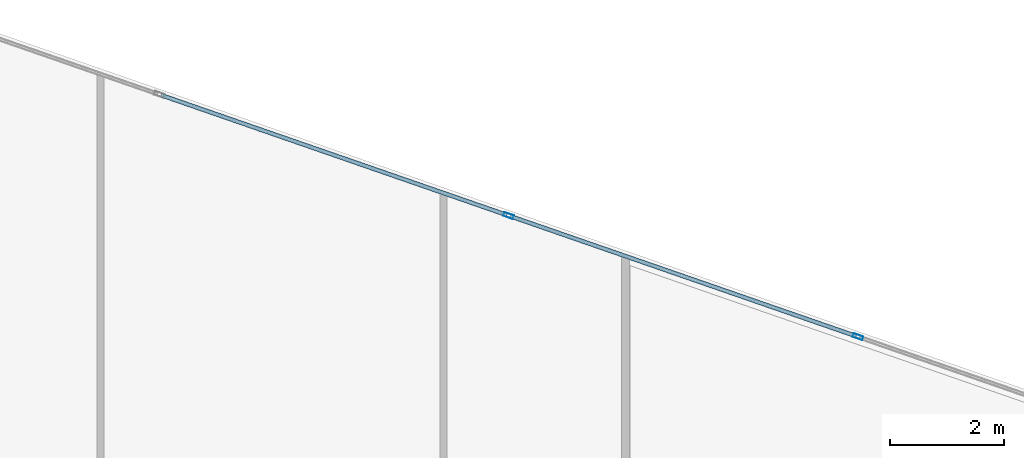
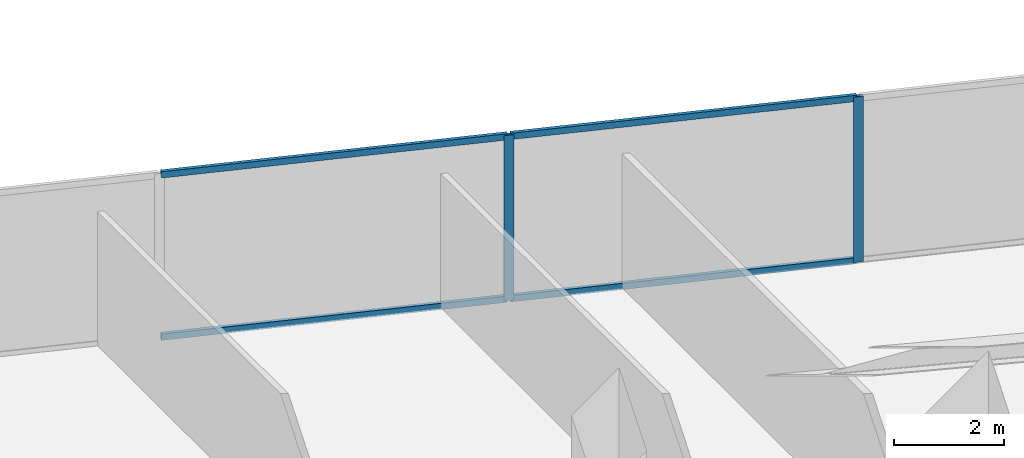
# One storey, part 21 of 28: 6 members, 1 element without a shape of its own.
"""IFC4 building model written with IfcOpenShell, lengths in metres."""

from ifc_helpers import new_model, si_unit, direction, frame, origin, origin_2d, place, context, subcontext, project, spatial, hollow_rectangle, extrude, source, transform, mapped, material, material_profile, profile_set, type_object, type_shapes, element, aggregate, save


model = new_model("IFC4")

# Units and contexts
model_context = context("Model", 3, precision=1e-05, world=origin(), true_north=direction((0.0, 1.0)))
body_context = subcontext(model_context, "Body", "Model", "MODEL_VIEW")
ifc_project = project(units=[si_unit("LENGTHUNIT", "METRE"), si_unit("AREAUNIT", "SQUARE_METRE"), si_unit("VOLUMEUNIT", "CUBIC_METRE"), si_unit("PLANEANGLEUNIT", "RADIAN"), si_unit("MASSUNIT", "GRAM", prefix="KILO")], contexts=[model_context])

# Site, building, storey
site_placement = place(None, origin())
site = spatial("IfcSite", under=ifc_project, at=site_placement, CompositionType="ELEMENT")
building_placement = place(site_placement, origin())
building = spatial("IfcBuilding", under=site, at=building_placement, Name="Krantzveldt Concourse Tower", CompositionType="ELEMENT")
storey_placement = place(building_placement, frame((0.0, 0.0, 117.699951171875)))
storey = spatial("IfcBuildingStorey", under=building, at=storey_placement, Name="L28", CompositionType="ELEMENT", Elevation=117.699951171875)

# Curtain wall, members
ifc_material = material(Name="Anodised aluminium 6063-T6", Category="aluminium")
curtain_wall_type = type_object("IfcCurtainWallType", Name="CW2", PredefinedType="USERDEFINED", material=ifc_material)
curtain_wall_placement = place(storey_placement, origin())
curtain_wall = element("IfcCurtainWall", 1, at=curtain_wall_placement, inside=storey, type_object=curtain_wall_type, Name="CW-L28-F10", ObjectType="UNITISED CURTAIN WALL", PredefinedType="USERDEFINED")
ifc_material_profile_1 = material_profile(ifc_material, hollow_rectangle(XDim=0.070068359375, YDim=0.179931640625, WallThickness=0.0048828125, at=origin_2d()), Name="Anodised aluminium 6063-T6", Category="aluminium")
ifc_profile_set_1 = profile_set([ifc_material_profile_1], Name="Anodised aluminium 6063-T6 - ALU-MULL 180x70x5")
member_type_1 = type_object("IfcMemberType", Name="CW-MUL-180", PredefinedType="MULLION", material=ifc_profile_set_1)
shared_shape_1 = source(origin(), body_context, "Body", "SweptSolid", [
    extrude(hollow_rectangle(XDim=0.070068359375, YDim=0.179931640625, WallThickness=0.0048828125, at=origin_2d()), origin(), (0.0, 0.0, 1.0), 3.670166015625),
])
type_shapes(member_type_1, [shared_shape_1])
member_1_placement = place(storey_placement, frame((49.746826171875, 46.604736328125, 0.0), z_axis=(0.0, 0.0, 1.0), x_axis=(-0.32763019404, -0.944806041446, 0.0)))
member_1 = element("IfcMember", 2, at=member_1_placement, type_object=member_type_1, Name="CW-Z12 mullion 3", PredefinedType="MULLION", context=body_context, shape_type="MappedRepresentation", body=[
    mapped(shared_shape_1, transform((0.0, 0.0, 0.0), x_axis=(1.0, 0.0, 0.0), y_axis=(0.0, 1.0, 0.0), z_axis=(0.0, 0.0, 1.0), scale=1.0)),
])
member_2_placement = place(storey_placement, frame((43.636962890625, 48.723388671875, 0.0), z_axis=(0.0, 0.0, 1.0), x_axis=(-0.32763019404, -0.944806041446, 0.0)))
member_2 = element("IfcMember", 3, at=member_2_placement, type_object=member_type_1, Name="CW-Z12 mullion 4", PredefinedType="MULLION", context=body_context, shape_type="MappedRepresentation", body=[
    mapped(shared_shape_1, transform((0.0, 0.0, 0.0), x_axis=(1.0, 0.0, 0.0), y_axis=(0.0, 1.0, 0.0), z_axis=(0.0, 0.0, 1.0), scale=1.0)),
])
ifc_material_profile_2 = material_profile(ifc_material, hollow_rectangle(XDim=0.070068359375, YDim=0.139892578125, WallThickness=0.0048828125, at=origin_2d()), Name="Anodised aluminium 6063-T6", Category="aluminium")
ifc_profile_set_2 = profile_set([ifc_material_profile_2], Name="Anodised aluminium 6063-T6 - ALU-TRAN 140x70x5")
member_type_2 = type_object("IfcMemberType", Name="CW-TRN-150", PredefinedType="USERDEFINED", material=ifc_profile_set_2)
shared_shape_2 = source(origin(), body_context, "Body", "SweptSolid", [
    extrude(hollow_rectangle(XDim=0.070068359375, YDim=0.139892578125, WallThickness=0.0048828125, at=origin_2d()), origin(), (0.0, 0.0, 1.0), 6.396728515625),
])
member_3_placement = place(storey_placement, frame((43.60400390625, 48.73486328125, 0.03515625), z_axis=(-0.944809422525, 0.327620443666, 0.0), x_axis=(-0.327620443666, -0.944809422525, 0.0)))
member_3 = element("IfcMember", 4, at=member_3_placement, type_object=member_type_2, Name="CW-Z12 transom 4.1", ObjectType="TRANSOM", PredefinedType="USERDEFINED", context=body_context, shape_type="MappedRepresentation", body=[
    mapped(shared_shape_2, transform((0.0, 0.0, 0.0), x_axis=(1.0, 0.0, 0.0), y_axis=(0.0, 1.0, 0.0), z_axis=(0.0, 0.0, 1.0), scale=1.0)),
])
member_4_placement = place(storey_placement, frame((43.60400390625, 48.73486328125, 3.635009765625), z_axis=(-0.944809422525, 0.327620443666, 0.0), x_axis=(-0.327620443666, -0.944809422525, 0.0)))
member_4 = element("IfcMember", 5, at=member_4_placement, type_object=member_type_2, Name="CW-Z12 transom 4.2", ObjectType="TRANSOM", PredefinedType="USERDEFINED", context=body_context, shape_type="MappedRepresentation", body=[
    mapped(shared_shape_2, transform((0.0, 0.0, 0.0), x_axis=(1.0, 0.0, 0.0), y_axis=(0.0, 1.0, 0.0), z_axis=(0.0, 0.0, 1.0), scale=1.0)),
])
shared_shape_3 = source(origin(), body_context, "Body", "SweptSolid", [
    extrude(hollow_rectangle(XDim=0.070068359375, YDim=0.139892578125, WallThickness=0.0048828125, at=origin_2d()), origin(), (0.0, 0.0, 1.0), 6.396484375),
])
type_shapes(member_type_2, [shared_shape_2, shared_shape_3])
member_5_placement = place(storey_placement, frame((49.713623046875, 46.6162109375, 0.03515625), z_axis=(-0.944805325706, 0.327632258054, 0.0), x_axis=(-0.327632258054, -0.944805325706, 0.0)))
member_5 = element("IfcMember", 6, at=member_5_placement, type_object=member_type_2, Name="CW-Z12 transom 3.1", ObjectType="TRANSOM", PredefinedType="USERDEFINED", context=body_context, shape_type="MappedRepresentation", body=[
    mapped(shared_shape_3, transform((0.0, 0.0, 0.0), x_axis=(1.0, 0.0, 0.0), y_axis=(0.0, 1.0, 0.0), z_axis=(0.0, 0.0, 1.0), scale=1.0)),
])
member_6_placement = place(storey_placement, frame((49.713623046875, 46.6162109375, 3.635009765625), z_axis=(-0.944805325706, 0.327632258054, 0.0), x_axis=(-0.327632258054, -0.944805325706, 0.0)))
member_6 = element("IfcMember", 7, at=member_6_placement, type_object=member_type_2, Name="CW-Z12 transom 3.2", ObjectType="TRANSOM", PredefinedType="USERDEFINED", context=body_context, shape_type="MappedRepresentation", body=[
    mapped(shared_shape_3, transform((0.0, 0.0, 0.0), x_axis=(1.0, 0.0, 0.0), y_axis=(0.0, 1.0, 0.0), z_axis=(0.0, 0.0, 1.0), scale=1.0)),
])
aggregate(curtain_wall, [member_1, member_2, member_5, member_6, member_3, member_4])

save(model, "model.ifc")
